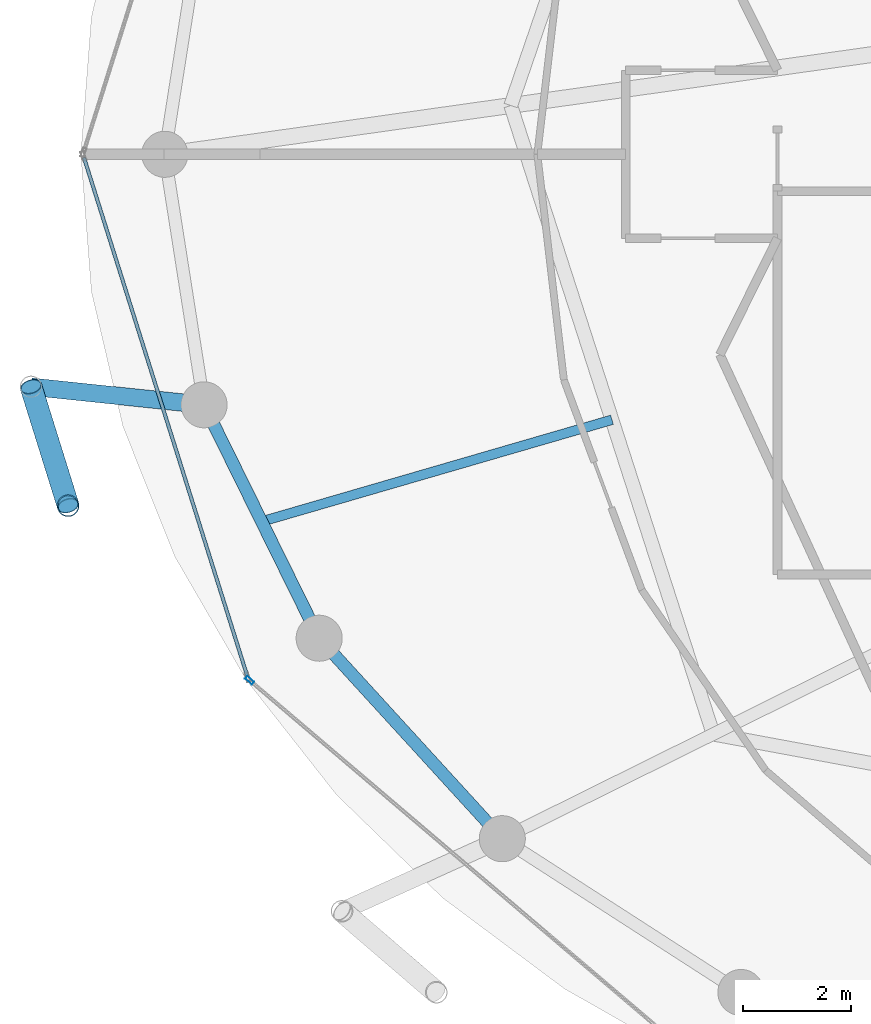
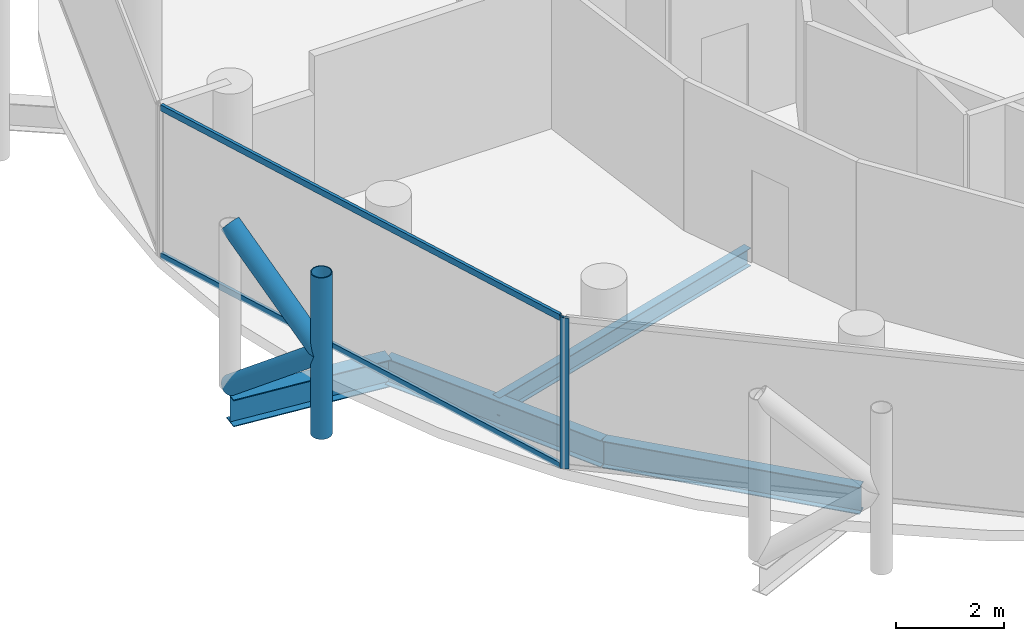
# One storey, part 3 of 27: 6 members, 4 beams, 2 elements without a shape of their own.
"""IFC4 building model written with IfcOpenShell, lengths in metres."""

from ifc_helpers import new_model, si_unit, direction, frame, origin, origin_2d, place, context, subcontext, project, spatial, hollow_rectangle, hollow_circle, i_section, extrude, material, layer, layer_set, material_profile, profile_set, type_object, element, aggregate, save


model = new_model("IFC4")

# Units and contexts
model_context = context("Model", 3, precision=1e-05, world=origin(), true_north=direction((0.0, 1.0)))
body_context = subcontext(model_context, "Body", "Model", "MODEL_VIEW")
ifc_project = project(units=[si_unit("LENGTHUNIT", "METRE"), si_unit("AREAUNIT", "SQUARE_METRE"), si_unit("VOLUMEUNIT", "CUBIC_METRE"), si_unit("PLANEANGLEUNIT", "RADIAN"), si_unit("MASSUNIT", "GRAM", prefix="KILO")], contexts=[model_context])

# Site, building, storey
site_placement = place(None, origin())
site = spatial("IfcSite", under=ifc_project, at=site_placement, CompositionType="ELEMENT")
building_placement = place(site_placement, origin())
building = spatial("IfcBuilding", under=site, at=building_placement, Name="Nuhasar Tower", CompositionType="ELEMENT")
storey_placement = place(building_placement, frame((0.0, 0.0, 226.39990234375)))
storey = spatial("IfcBuildingStorey", under=building, at=storey_placement, Name="L55", CompositionType="ELEMENT", Elevation=226.39990234375)

# Beams
ifc_material_1 = material(Name="Steel S355", Category="steel")
ifc_material_profile_1 = material_profile(ifc_material_1, i_section(OverallWidth=0.177978515625, OverallDepth=0.406005859375, WebThickness=0.0078125, FlangeThickness=0.0126953125, at=origin_2d()), Name="W16X40")
ifc_profile_set_1 = profile_set([ifc_material_profile_1], Name="Steel S355")
beam_type_1 = type_object("IfcBeamType", Name="BM-JST-W16X40", PredefinedType="JOIST", material=ifc_profile_set_1)
beam_1_placement = place(storey_placement, frame((25.9970703125, 21.904052734375, -0.44287109375), z_axis=(-0.960312689798, -0.27892568511, 0.0), x_axis=(0.27892568511, -0.960312689798, 0.0)))
element("IfcBeam", 1, at=beam_1_placement, inside=storey, type_object=beam_type_1, Name="L55 Secondary Floor Joist 08", PredefinedType="JOIST", context=body_context, shape_type="SweptSolid", body=[
    extrude(i_section(OverallWidth=0.177978515625, OverallDepth=0.406005859375, WebThickness=0.0078125, FlangeThickness=0.0126953125, at=origin_2d()), origin(), (0.0, 0.0, 1.0), 6.729248046875),
])
ifc_material_profile_2 = material_profile(ifc_material_1, i_section(OverallWidth=0.22802734375, OverallDepth=0.60791015625, WebThickness=0.01123046875, FlangeThickness=0.017333984375, at=origin_2d()), Name="W24X76")
ifc_profile_set_2 = profile_set([ifc_material_profile_2], Name="Steel S355")
beam_type_2 = type_object("IfcBeamType", Name="BM-RING-W24X76", PredefinedType="SPANDREL", material=ifc_profile_set_2)
beam_2_placement = place(storey_placement, frame((18.47412109375, 22.179931640625, -0.5439453125), z_axis=(0.442262779282, -0.896885518928, 0.0), x_axis=(0.896885518928, 0.442262779282, 0.0)))
element("IfcBeam", 2, at=beam_2_placement, inside=storey, type_object=beam_type_2, Name="L55 Perimeter Ring Spandrel 14", PredefinedType="SPANDREL", context=body_context, shape_type="SweptSolid", body=[
    extrude(i_section(OverallWidth=0.22802734375, OverallDepth=0.60791015625, WebThickness=0.01123046875, FlangeThickness=0.017333984375, at=origin_2d()), origin(), (0.0, 0.0, 1.0), 4.7998046875),
])
beam_3_placement = place(storey_placement, frame((20.596923828125, 17.875, -0.5439453125), z_axis=(0.674449692975, -0.738320805373, 0.0), x_axis=(0.738320805373, 0.674449692975, 0.0)))
element("IfcBeam", 3, at=beam_3_placement, inside=storey, type_object=beam_type_2, Name="L55 Perimeter Ring Spandrel 15", PredefinedType="SPANDREL", context=body_context, shape_type="SweptSolid", body=[
    extrude(i_section(OverallWidth=0.22802734375, OverallDepth=0.60791015625, WebThickness=0.01123046875, FlangeThickness=0.017333984375, at=origin_2d()), origin(), (0.0, 0.0, 1.0), 5.00732421875),
])
ifc_material_profile_3 = material_profile(ifc_material_1, i_section(OverallWidth=0.323974609375, OverallDepth=0.611083984375, WebThickness=0.0126953125, FlangeThickness=0.01904296875, at=origin_2d()), Name="W24X104")
ifc_profile_set_3 = profile_set([ifc_material_profile_3], Name="Steel S355")
beam_type_3 = type_object("IfcBeamType", Name="BM-TIE-W24X104", PredefinedType="BEAM", material=ifc_profile_set_3)
beam_4_placement = place(storey_placement, frame((18.47412109375, 22.179931640625, -0.544921875), z_axis=(-0.994571111079, 0.10405914187, 0.0), x_axis=(-0.10405914187, -0.994571111079, 0.0)))
element("IfcBeam", 4, at=beam_4_placement, inside=storey, type_object=beam_type_3, Name="L55 Exoskeleton Node Tie Beam 07", PredefinedType="BEAM", context=body_context, shape_type="SweptSolid", body=[
    extrude(i_section(OverallWidth=0.323974609375, OverallDepth=0.611083984375, WebThickness=0.0126953125, FlangeThickness=0.01904296875, at=origin_2d()), origin(), (0.0, 0.0, 1.0), 3.20947265625),
])

# Curtain wall, member
ifc_material_2 = material(Name="Aluminium 6063-T6", Category="aluminium")
ifc_layer = layer(ifc_material_2, 0.18994140625)
ifc_layer_set = layer_set([ifc_layer], Name="Aluminium 6063-T6")
curtain_wall_type = type_object("IfcCurtainWallType", Name="CW-Z3-RES", PredefinedType="NOTDEFINED", material=ifc_layer_set)
curtain_wall_1_placement = place(storey_placement, origin())
curtain_wall_1 = element("IfcCurtainWall", 5, at=curtain_wall_1_placement, inside=storey, type_object=curtain_wall_type, Name="L55 Unitised Curtain Wall 08", PredefinedType="NOTDEFINED")
ifc_material_profile_4 = material_profile(ifc_material_2, hollow_rectangle(XDim=0.06494140625, YDim=0.169921875, WallThickness=0.0048828125, at=origin_2d()), Name="CWM-4")
ifc_profile_set_4 = profile_set([ifc_material_profile_4], Name="Aluminium 6063-T6")
member_type_1 = type_object("IfcMemberType", Name="CW-MUL-S4", PredefinedType="MULLION", material=ifc_profile_set_4)
member_1_placement = place(storey_placement, frame((19.313720703125, 17.098876953125, 0.0), z_axis=(0.0, 0.0, 1.0), x_axis=(0.64789521578, 0.761729472562, 0.0)))
member_1 = element("IfcMember", 6, at=member_1_placement, type_object=member_type_1, Name="CW-Z3 mullion 1", PredefinedType="MULLION", context=body_context, shape_type="SweptSolid", body=[
    extrude(hollow_rectangle(XDim=0.06494140625, YDim=0.169921875, WallThickness=0.0048828125, at=origin_2d()), origin(), (0.0, 0.0, 1.0), 3.41015625),
])
aggregate(curtain_wall_1, [member_1])

# Curtain wall, members
curtain_wall_2_placement = place(storey_placement, origin())
curtain_wall_2 = element("IfcCurtainWall", 7, at=curtain_wall_2_placement, inside=storey, type_object=curtain_wall_type, Name="L55 Unitised Curtain Wall 07", PredefinedType="NOTDEFINED")
ifc_material_profile_5 = material_profile(ifc_material_2, hollow_rectangle(XDim=0.06494140625, YDim=0.139892578125, WallThickness=0.00439453125, at=origin_2d()), Name="CWT-4")
ifc_profile_set_5 = profile_set([ifc_material_profile_5], Name="Aluminium 6063-T6")
member_type_2 = type_object("IfcMemberType", Name="CW-TRN-S4", PredefinedType="USERDEFINED", material=ifc_profile_set_5)
member_2_placement = place(storey_placement, frame((16.259521484375, 26.738037109375, 0.03271484375), z_axis=(0.300430390604, -0.953803743126, 0.0), x_axis=(0.953803743126, 0.300430390604, 0.0)))
member_2 = element("IfcMember", 8, at=member_2_placement, type_object=member_type_2, Name="CW-Z3 transom 1.1", ObjectType="TRANSOM", PredefinedType="USERDEFINED", context=body_context, shape_type="SweptSolid", body=[
    extrude(hollow_rectangle(XDim=0.06494140625, YDim=0.139892578125, WallThickness=0.00439453125, at=origin_2d()), origin(), (0.0, 0.0, 1.0), 10.01904296875),
])
member_3_placement = place(storey_placement, frame((16.259521484375, 26.738037109375, 3.377685546875), z_axis=(0.300430390604, -0.953803743126, 0.0), x_axis=(0.953803743126, 0.300430390604, 0.0)))
member_3 = element("IfcMember", 9, at=member_3_placement, type_object=member_type_2, Name="CW-Z3 transom 1.2", ObjectType="TRANSOM", PredefinedType="USERDEFINED", context=body_context, shape_type="SweptSolid", body=[
    extrude(hollow_rectangle(XDim=0.06494140625, YDim=0.139892578125, WallThickness=0.00439453125, at=origin_2d()), origin(), (0.0, 0.0, 1.0), 10.01904296875),
])
aggregate(curtain_wall_2, [member_2, member_3])

# Members
ifc_material_3 = material(Name="Steel S460", Category="steel")
ifc_material_profile_6 = material_profile(ifc_material_3, hollow_circle(Radius=0.203125, WallThickness=0.01904296875, at=origin_2d()), Name="HSS406.4X19.1")
ifc_profile_set_6 = profile_set([ifc_material_profile_6], Name="Steel S460")
member_type_3 = type_object("IfcMemberType", Name="EXO-BRONZE-406", PredefinedType="BRACE", material=ifc_profile_set_6)
member_4_placement = place(storey_placement, frame((15.967041015625, 20.319091796875, 0.0), z_axis=(0.0, 0.0, 1.0), x_axis=(1.0, 0.0, 0.0)))
element("IfcMember", 10, at=member_4_placement, inside=storey, type_object=member_type_3, Name="L55 Exoskeleton Chord Column EC-07B", PredefinedType="BRACE", context=body_context, shape_type="SweptSolid", body=[
    extrude(hollow_circle(Radius=0.203125, WallThickness=0.01904296875, at=origin_2d()), origin(), (0.0, 0.0, 1.0), 3.650146484375),
])
for number, where, z_axis, x_axis, name in (
    (11, (15.281982421875, 22.513916015625, 0.0), (0.233360356896, -0.747651321632, 0.621739853228), (0.954581948223, 0.297948492404, 0.0), "L55 Bronze Diagrid Brace W1-07"),
    (12, (15.967041015625, 20.319091796875, 1.8251953125), (-0.233372423355, 0.747689980743, 0.621688832709), (-0.954581948223, -0.297948492404, 0.0), "L55 Bronze Diagrid Brace W2-07"),
):
    element("IfcMember", number, at=place(storey_placement, frame(where, z_axis=z_axis, x_axis=x_axis)), inside=storey, type_object=member_type_3, Name=name, PredefinedType="BRACE", context=body_context, shape_type="SweptSolid", body=[
        extrude(hollow_circle(Radius=0.203125, WallThickness=0.01904296875, at=origin_2d()), origin(), (0.0, 0.0, 1.0), 2.935546875),
    ])

save(model, "model.ifc")
